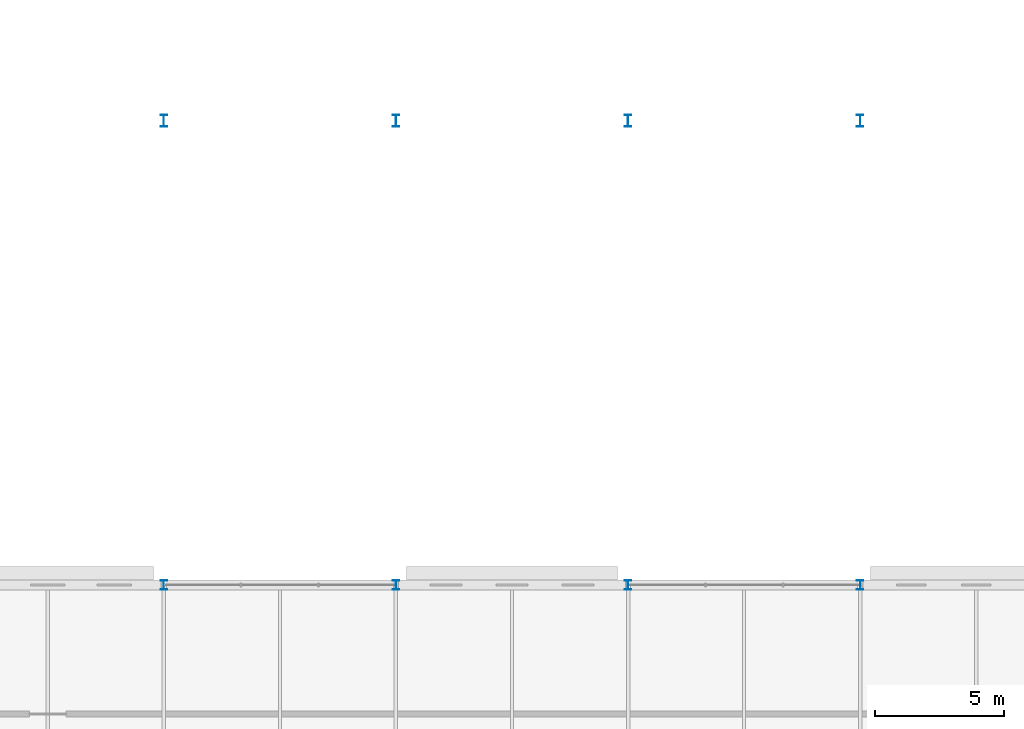
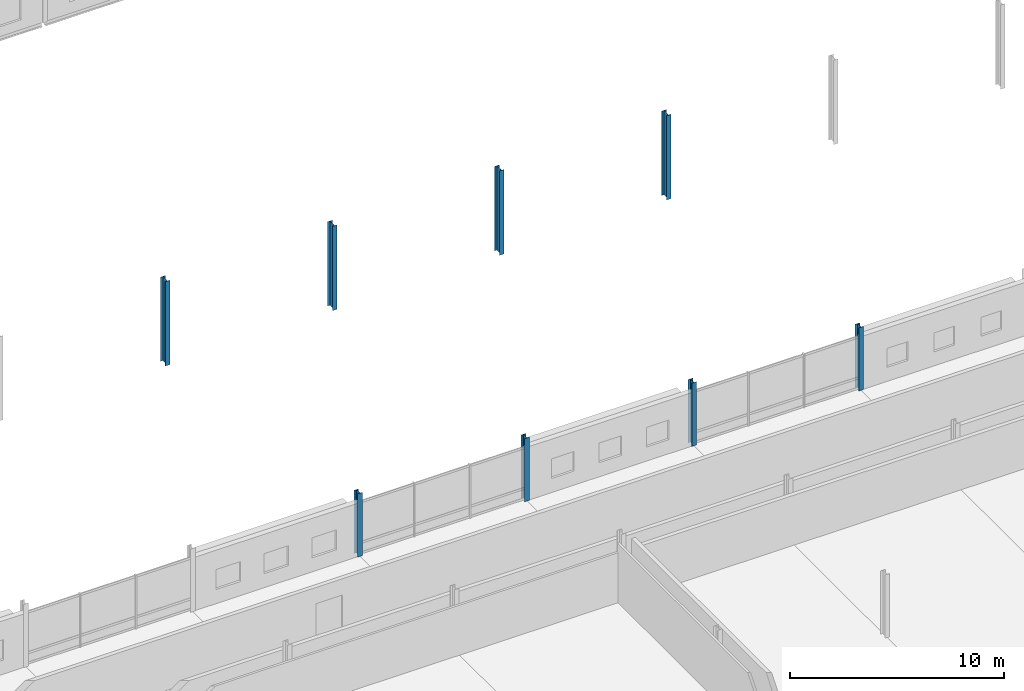
# One storey, part 12 of 132: 8 columns.
"""IFC4 building model written with IfcOpenShell, lengths in metres."""

import ifcopenshell
import ifcopenshell.guid

model = None  # the IFC model being written
_history = None  # IfcOwnerHistory: only IFC2X3 demands one
_inside = {}  # id of a spatial element -> (the spatial element, [elements in it])
_under = {}  # id of a project, library or spatial element -> (it, [spatial elements below it])
_declared = {}  # id of a project -> (the project, [libraries it declares])
_typed = {}  # id of a type object -> (the type object, [elements of that type])
_made_of = {}  # id of a material, layer set ... -> (it, [elements and type objects made of it])


def new_model(schema):
    """Start an empty IFC model of exactly this schema.

    Asked for "IFC4X3", IfcOpenShell would pick the latest addendum, in which some entities
    have other attributes; the version numbers below select the first issue.
    IFC2X3 requires an IfcOwnerHistory on every rooted entity: one is made here for all.
    """
    global model, _history
    if schema == "IFC4X3":
        model = ifcopenshell.file(schema_version=(4, 3, 0, 0))
    else:
        model = ifcopenshell.file(schema=schema)
    _inside.clear()
    _under.clear()
    _declared.clear()
    _typed.clear()
    _made_of.clear()
    _history = None
    if model.schema == "IFC2X3":
        org = make("IfcOrganization", Name="unknown")
        user = make(
            "IfcPersonAndOrganization",
            ThePerson=make("IfcPerson", FamilyName="unknown"),
            TheOrganization=org,
        )
        app = make(
            "IfcApplication",
            ApplicationDeveloper=org,
            Version="unknown",
            ApplicationFullName="unknown",
            ApplicationIdentifier="unknown",
        )
        _history = make(
            "IfcOwnerHistory",
            OwningUser=user,
            OwningApplication=app,
            ChangeAction="ADDED",
            CreationDate=0,
        )
    return model


def make(cls, **values):
    """One entity of the class cls with the attributes given. An attribute that is None is left unset."""
    return model.create_entity(
        cls, **{name: value for name, value in values.items() if value is not None}
    )


def rooted(cls, **values):
    """An entity with a GlobalId (a new one), such as an element, a storey or a relation."""
    return make(cls, GlobalId=ifcopenshell.guid.new(), OwnerHistory=_history, **values)


def si_unit(unit_type, name, prefix=None):
    """IfcSIUnit, for example si_unit("LENGTHUNIT", "METRE", prefix="MILLI")."""
    return make("IfcSIUnit", UnitType=unit_type, Prefix=prefix, Name=name)


def assignment(units):
    """IfcUnitAssignment: the units of a project."""
    return None if units is None else make("IfcUnitAssignment", Units=units)


def point(xyz):
    """IfcCartesianPoint."""
    return None if xyz is None else make("IfcCartesianPoint", Coordinates=xyz)


def direction(xyz):
    """IfcDirection."""
    return None if xyz is None else make("IfcDirection", DirectionRatios=xyz)


def frame(location, z_axis=None, x_axis=None):
    """IfcAxis2Placement3D, a coordinate frame: its origin and axes. An axis left out is left unset."""
    return make(
        "IfcAxis2Placement3D",
        Location=point(location),
        Axis=direction(z_axis),
        RefDirection=direction(x_axis),
    )


def frame_2d(location, x_axis=None):
    """IfcAxis2Placement2D, a coordinate frame in the plane: its origin and x axis."""
    return make(
        "IfcAxis2Placement2D", Location=point(location), RefDirection=direction(x_axis)
    )


def origin():
    """The frame at (0, 0, 0) with its axes left unset."""
    return frame((0.0, 0.0, 0.0))


def origin_2d():
    """The frame at (0, 0) in the plane with its x axis left unset."""
    return frame_2d((0.0, 0.0))


def place(relative_to, where):
    """IfcLocalPlacement: puts the frame where relative to a parent placement (None: the world)."""
    return make(
        "IfcLocalPlacement", PlacementRelTo=relative_to, RelativePlacement=where
    )


def context(
    kind, dimensions, precision=None, world=None, true_north=None, identifier=None
):
    """IfcGeometricRepresentationContext, for example the 3D "Model" context."""
    return make(
        "IfcGeometricRepresentationContext",
        ContextIdentifier=identifier,
        ContextType=kind,
        CoordinateSpaceDimension=dimensions,
        Precision=precision,
        WorldCoordinateSystem=world,
        TrueNorth=true_north,
    )


def subcontext(parent, identifier, kind, view, scale=None):
    """IfcGeometricRepresentationSubContext, for example "Body" below "Model"."""
    return make(
        "IfcGeometricRepresentationSubContext",
        ContextIdentifier=identifier,
        ContextType=kind,
        ParentContext=parent,
        TargetScale=scale,
        TargetView=view,
    )


def project(units=None, contexts=None):
    """IfcProject with its units and contexts."""
    return rooted(
        "IfcProject",
        Name="project",
        RepresentationContexts=contexts,
        UnitsInContext=assignment(units),
    )


def spatial(cls, under=None, at=None, **own):
    """A site, building, storey or space (cls), placed at a placement, below another one or the project."""
    s = rooted(cls, ObjectPlacement=at, **own)
    if under is not None:
        _under.setdefault(under.id(), (under, []))[1].append(s)
    return s


def profile(cls, at=None, kind="AREA", **sizes):
    """A parametric profile (cls). Its sizes go by their IFC names, for example OverallWidth=200.0."""
    return make(cls, ProfileType=kind, Position=at, **sizes)


def i_section(**sizes):
    """IfcIShapeProfileDef."""
    return profile("IfcIShapeProfileDef", **sizes)


def extrude(swept, where, along, depth):
    """IfcExtrudedAreaSolid: the profile swept, set in the frame where, extruded along a direction by depth."""
    return make(
        "IfcExtrudedAreaSolid",
        SweptArea=swept,
        Position=where,
        ExtrudedDirection=direction(along),
        Depth=depth,
    )


def shape(context_of_items, identifier, shape_type, items):
    """IfcShapeRepresentation: the items that make up one representation, for example the "Body"."""
    return make(
        "IfcShapeRepresentation",
        ContextOfItems=context_of_items,
        RepresentationIdentifier=identifier,
        RepresentationType=shape_type,
        Items=items,
    )


def material(Name=None, Category=None):
    """IfcMaterial."""
    return make("IfcMaterial", Name=Name, Category=Category)


def material_profile(
    of_material, cross_section, Name=None, Category=None, Priority=None
):
    """IfcMaterialProfile: a cross section and its material."""
    return make(
        "IfcMaterialProfile",
        Name=Name,
        Material=of_material,
        Profile=cross_section,
        Priority=Priority,
        Category=Category,
    )


def profile_set(profiles, Name=None, composite=None):
    """IfcMaterialProfileSet."""
    return make(
        "IfcMaterialProfileSet",
        Name=Name,
        MaterialProfiles=profiles,
        CompositeProfile=composite,
    )


def made_of(thing, what):
    """Note that an element or type object is made of a material, layer set ...; save() writes the relation."""
    if what is not None:
        _made_of.setdefault(what.id(), (what, []))[1].append(thing)
    return thing


def type_object(cls, material=None, **own):
    """A type object (cls), such as IfcWallType, which elements share."""
    return made_of(rooted(cls, **own), material)


def element(
    cls,
    number,
    at=None,
    inside=None,
    cuts=None,
    type_object=None,
    material=None,
    context=None,
    identifier="Body",
    shape_type=None,
    held_by="IfcProductDefinitionShape",
    body=None,
    shapes=None,
    **own,
):
    """One element of the class cls, such as IfcWall. Its Tag is "e" and its number.

    at: its placement. inside: the storey or other place that contains it. cuts: it is an
    opening in that element (IfcRelVoidsElement). A single representation is given by context,
    identifier, shape_type and body (its items); several are given by shapes. held_by: the class
    of the entity that holds the representations. save() writes the other relations.
    """
    e = rooted(cls, Tag="e%d" % number, ObjectPlacement=at, **own)
    if body is not None:
        shapes = [shape(context, identifier, shape_type, body)]
    if shapes is not None:
        e.Representation = make(held_by, Representations=shapes)
    if inside is not None:
        _inside.setdefault(inside.id(), (inside, []))[1].append(e)
    if cuts is not None:
        rooted(
            "IfcRelVoidsElement", RelatingBuildingElement=cuts, RelatedOpeningElement=e
        )
    if type_object is not None:
        _typed.setdefault(type_object.id(), (type_object, []))[1].append(e)
    return made_of(e, material)


def aggregate(whole, parts):
    """IfcRelAggregates: a whole, such as a stair, and the parts it consists of."""
    return rooted("IfcRelAggregates", RelatingObject=whole, RelatedObjects=parts)


def save(model, path):
    """Write the relations noted so far, then the file.

    IfcRelAggregates (storeys below a building ...), IfcRelContainedInSpatialStructure (elements
    in a storey), IfcRelDefinesByType, IfcRelAssociatesMaterial and IfcRelDeclares: one each for
    every whole, place, type object, material and project.
    """
    for whole, parts in _under.values():
        aggregate(whole, parts)
    for where, things in _inside.values():
        rooted(
            "IfcRelContainedInSpatialStructure",
            RelatedElements=things,
            RelatingStructure=where,
        )
    for kind, things in _typed.values():
        rooted("IfcRelDefinesByType", RelatedObjects=things, RelatingType=kind)
    for what, things in _made_of.values():
        rooted("IfcRelAssociatesMaterial", RelatedObjects=things, RelatingMaterial=what)
    for by, libraries in _declared.values():
        rooted("IfcRelDeclares", RelatingContext=by, RelatedDefinitions=libraries)
    model.write(path)


model = new_model("IFC4")

# Units and contexts
model_context = context("Model", 3, precision=1e-05, world=origin(), true_north=direction((0.0, 1.0)))
body_context = subcontext(model_context, "Body", "Model", "MODEL_VIEW")
ifc_project = project(units=[si_unit("LENGTHUNIT", "METRE"), si_unit("AREAUNIT", "SQUARE_METRE"), si_unit("VOLUMEUNIT", "CUBIC_METRE"), si_unit("PLANEANGLEUNIT", "RADIAN"), si_unit("MASSUNIT", "GRAM", prefix="KILO")], contexts=[model_context])

# Site, building, storey
site_placement = place(None, origin())
site = spatial("IfcSite", under=ifc_project, at=site_placement, CompositionType="ELEMENT")
building_placement = place(site_placement, origin())
building = spatial("IfcBuilding", under=site, at=building_placement, Name="Tharagai Park Tramway Depot", CompositionType="ELEMENT")
storey_placement = place(building_placement, frame((0.0, 0.0, 4.800048828125)))
storey = spatial("IfcBuildingStorey", under=building, at=storey_placement, Name="L01", CompositionType="ELEMENT", Elevation=4.800048828125)

# Columns
ifc_material = material(Name="Steel E350", Category="steel")
ifc_material_profile_1 = material_profile(ifc_material, i_section(OverallWidth=0.25, OverallDepth=0.449951171875, WebThickness=0.01123046875, FlangeThickness=0.013671875, FilletRadius=0.014892578125, at=origin_2d()), Name="ISHB 450")
ifc_profile_set_1 = profile_set([ifc_material_profile_1], Name="Steel E350")
column_type_1 = type_object("IfcColumnType", Name="CL-01", PredefinedType="COLUMN", material=ifc_profile_set_1)
for number, where, z_axis, x_axis, name in (
    (1, (36.0, 117.0, 0.0), (0.0, 0.0, 1.0), (1.0, 0.0, 0.0), "Shed Stanchion CL-01 (36,117)"),
    (2, (45.0, 117.0, 0.0), (0.0, 0.0, 1.0), (1.0, 0.0, 0.0), "Shed Stanchion CL-01 (45,117)"),
    (3, (54.0, 117.0, 0.0), (0.0, 0.0, 1.0), (1.0, 0.0, 0.0), "Shed Stanchion CL-01 (54,117)"),
    (4, (63.0, 117.0, 0.0), (0.0, 0.0, 1.0), (1.0, 0.0, 0.0), "Shed Stanchion CL-01 (63,117)"),
):
    element("IfcColumn", number, at=place(storey_placement, frame(where, z_axis=z_axis, x_axis=x_axis)), inside=storey, type_object=column_type_1, Name=name, PredefinedType="COLUMN", context=body_context, shape_type="SweptSolid", body=[
        extrude(i_section(OverallWidth=0.25, OverallDepth=0.449951171875, WebThickness=0.01123046875, FlangeThickness=0.013671875, FilletRadius=0.014892578125, at=origin_2d()), origin(), (0.0, 0.0, 1.0), 4.800048828125),
    ])
ifc_material_profile_2 = material_profile(ifc_material, i_section(OverallWidth=0.25, OverallDepth=0.35009765625, WebThickness=0.010009765625, FlangeThickness=0.01171875, FilletRadius=0.011962890625, at=origin_2d()), Name="ISHB 350")
ifc_profile_set_2 = profile_set([ifc_material_profile_2], Name="Steel E350")
column_type_2 = type_object("IfcColumnType", Name="CL-09", PredefinedType="COLUMN", material=ifc_profile_set_2)
for number, where, z_axis, x_axis, name in (
    (5, (36.0, 99.0, 0.0), (0.0, 0.0, 1.0), (1.0, 0.0, 0.0), "L01 Structural Column CL-09 (36,99)"),
    (6, (45.0, 99.0, 0.0), (0.0, 0.0, 1.0), (1.0, 0.0, 0.0), "L01 Structural Column CL-09 (45,99)"),
    (7, (54.0, 99.0, 0.0), (0.0, 0.0, 1.0), (1.0, 0.0, 0.0), "L01 Structural Column CL-09 (54,99)"),
    (8, (63.0, 99.0, 0.0), (0.0, 0.0, 1.0), (1.0, 0.0, 0.0), "L01 Structural Column CL-09 (63,99)"),
):
    element("IfcColumn", number, at=place(storey_placement, frame(where, z_axis=z_axis, x_axis=x_axis)), inside=storey, type_object=column_type_2, Name=name, PredefinedType="COLUMN", context=body_context, shape_type="SweptSolid", body=[
        extrude(i_section(OverallWidth=0.25, OverallDepth=0.35009765625, WebThickness=0.010009765625, FlangeThickness=0.01171875, FilletRadius=0.011962890625, at=origin_2d()), origin(), (0.0, 0.0, 1.0), 3.599853515625),
    ])

save(model, "model.ifc")
